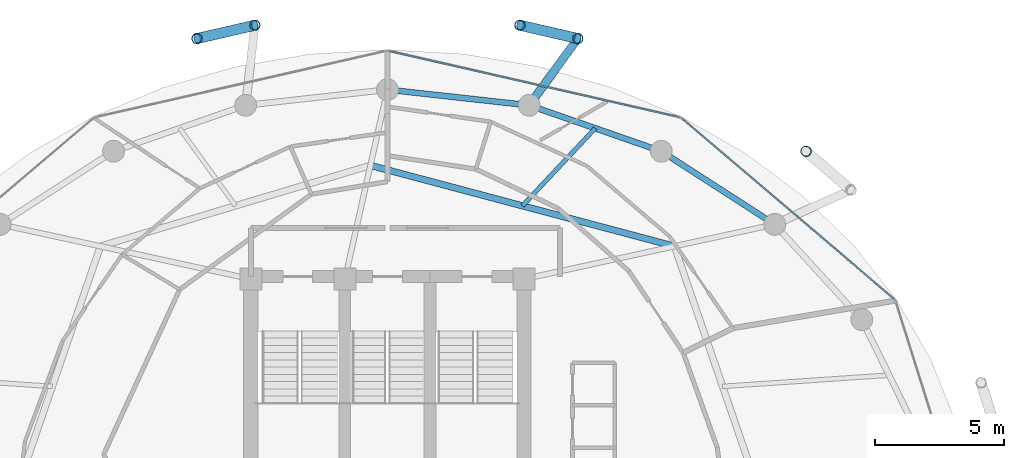
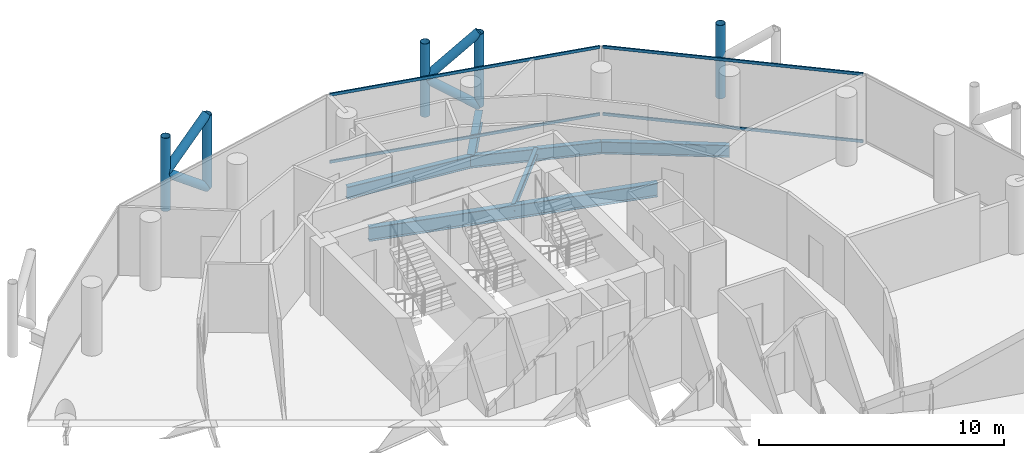
# One storey, part 20 of 27: 13 members, 6 beams, 2 elements without a shape of their own.
"""IFC4 building model written with IfcOpenShell, lengths in metres."""

import ifcopenshell
import ifcopenshell.guid

model = None  # the IFC model being written
_history = None  # IfcOwnerHistory: only IFC2X3 demands one
_inside = {}  # id of a spatial element -> (the spatial element, [elements in it])
_under = {}  # id of a project, library or spatial element -> (it, [spatial elements below it])
_declared = {}  # id of a project -> (the project, [libraries it declares])
_typed = {}  # id of a type object -> (the type object, [elements of that type])
_made_of = {}  # id of a material, layer set ... -> (it, [elements and type objects made of it])


def new_model(schema):
    """Start an empty IFC model of exactly this schema.

    Asked for "IFC4X3", IfcOpenShell would pick the latest addendum, in which some entities
    have other attributes; the version numbers below select the first issue.
    IFC2X3 requires an IfcOwnerHistory on every rooted entity: one is made here for all.
    """
    global model, _history
    if schema == "IFC4X3":
        model = ifcopenshell.file(schema_version=(4, 3, 0, 0))
    else:
        model = ifcopenshell.file(schema=schema)
    _inside.clear()
    _under.clear()
    _declared.clear()
    _typed.clear()
    _made_of.clear()
    _history = None
    if model.schema == "IFC2X3":
        org = make("IfcOrganization", Name="unknown")
        user = make(
            "IfcPersonAndOrganization",
            ThePerson=make("IfcPerson", FamilyName="unknown"),
            TheOrganization=org,
        )
        app = make(
            "IfcApplication",
            ApplicationDeveloper=org,
            Version="unknown",
            ApplicationFullName="unknown",
            ApplicationIdentifier="unknown",
        )
        _history = make(
            "IfcOwnerHistory",
            OwningUser=user,
            OwningApplication=app,
            ChangeAction="ADDED",
            CreationDate=0,
        )
    return model


def make(cls, **values):
    """One entity of the class cls with the attributes given. An attribute that is None is left unset."""
    return model.create_entity(
        cls, **{name: value for name, value in values.items() if value is not None}
    )


def rooted(cls, **values):
    """An entity with a GlobalId (a new one), such as an element, a storey or a relation."""
    return make(cls, GlobalId=ifcopenshell.guid.new(), OwnerHistory=_history, **values)


def si_unit(unit_type, name, prefix=None):
    """IfcSIUnit, for example si_unit("LENGTHUNIT", "METRE", prefix="MILLI")."""
    return make("IfcSIUnit", UnitType=unit_type, Prefix=prefix, Name=name)


def assignment(units):
    """IfcUnitAssignment: the units of a project."""
    return None if units is None else make("IfcUnitAssignment", Units=units)


def point(xyz):
    """IfcCartesianPoint."""
    return None if xyz is None else make("IfcCartesianPoint", Coordinates=xyz)


def direction(xyz):
    """IfcDirection."""
    return None if xyz is None else make("IfcDirection", DirectionRatios=xyz)


def frame(location, z_axis=None, x_axis=None):
    """IfcAxis2Placement3D, a coordinate frame: its origin and axes. An axis left out is left unset."""
    return make(
        "IfcAxis2Placement3D",
        Location=point(location),
        Axis=direction(z_axis),
        RefDirection=direction(x_axis),
    )


def frame_2d(location, x_axis=None):
    """IfcAxis2Placement2D, a coordinate frame in the plane: its origin and x axis."""
    return make(
        "IfcAxis2Placement2D", Location=point(location), RefDirection=direction(x_axis)
    )


def origin():
    """The frame at (0, 0, 0) with its axes left unset."""
    return frame((0.0, 0.0, 0.0))


def origin_2d():
    """The frame at (0, 0) in the plane with its x axis left unset."""
    return frame_2d((0.0, 0.0))


def place(relative_to, where):
    """IfcLocalPlacement: puts the frame where relative to a parent placement (None: the world)."""
    return make(
        "IfcLocalPlacement", PlacementRelTo=relative_to, RelativePlacement=where
    )


def context(
    kind, dimensions, precision=None, world=None, true_north=None, identifier=None
):
    """IfcGeometricRepresentationContext, for example the 3D "Model" context."""
    return make(
        "IfcGeometricRepresentationContext",
        ContextIdentifier=identifier,
        ContextType=kind,
        CoordinateSpaceDimension=dimensions,
        Precision=precision,
        WorldCoordinateSystem=world,
        TrueNorth=true_north,
    )


def subcontext(parent, identifier, kind, view, scale=None):
    """IfcGeometricRepresentationSubContext, for example "Body" below "Model"."""
    return make(
        "IfcGeometricRepresentationSubContext",
        ContextIdentifier=identifier,
        ContextType=kind,
        ParentContext=parent,
        TargetScale=scale,
        TargetView=view,
    )


def project(units=None, contexts=None):
    """IfcProject with its units and contexts."""
    return rooted(
        "IfcProject",
        Name="project",
        RepresentationContexts=contexts,
        UnitsInContext=assignment(units),
    )


def spatial(cls, under=None, at=None, **own):
    """A site, building, storey or space (cls), placed at a placement, below another one or the project."""
    s = rooted(cls, ObjectPlacement=at, **own)
    if under is not None:
        _under.setdefault(under.id(), (under, []))[1].append(s)
    return s


def profile(cls, at=None, kind="AREA", **sizes):
    """A parametric profile (cls). Its sizes go by their IFC names, for example OverallWidth=200.0."""
    return make(cls, ProfileType=kind, Position=at, **sizes)


def hollow_rectangle(**sizes):
    """IfcRectangleHollowProfileDef."""
    return profile("IfcRectangleHollowProfileDef", **sizes)


def hollow_circle(**sizes):
    """IfcCircleHollowProfileDef."""
    return profile("IfcCircleHollowProfileDef", **sizes)


def i_section(**sizes):
    """IfcIShapeProfileDef."""
    return profile("IfcIShapeProfileDef", **sizes)


def extrude(swept, where, along, depth):
    """IfcExtrudedAreaSolid: the profile swept, set in the frame where, extruded along a direction by depth."""
    return make(
        "IfcExtrudedAreaSolid",
        SweptArea=swept,
        Position=where,
        ExtrudedDirection=direction(along),
        Depth=depth,
    )


def shape(context_of_items, identifier, shape_type, items):
    """IfcShapeRepresentation: the items that make up one representation, for example the "Body"."""
    return make(
        "IfcShapeRepresentation",
        ContextOfItems=context_of_items,
        RepresentationIdentifier=identifier,
        RepresentationType=shape_type,
        Items=items,
    )


def material(Name=None, Category=None):
    """IfcMaterial."""
    return make("IfcMaterial", Name=Name, Category=Category)


def layer(
    of_material, thickness, ventilated=None, Name=None, Category=None, Priority=None
):
    """IfcMaterialLayer: one layer of a wall or slab, of a material (None: an air gap)."""
    return make(
        "IfcMaterialLayer",
        Material=of_material,
        LayerThickness=thickness,
        IsVentilated=ventilated,
        Name=Name,
        Category=Category,
        Priority=Priority,
    )


def layer_set(layers, Name=None):
    """IfcMaterialLayerSet."""
    return make("IfcMaterialLayerSet", MaterialLayers=layers, LayerSetName=Name)


def material_profile(
    of_material, cross_section, Name=None, Category=None, Priority=None
):
    """IfcMaterialProfile: a cross section and its material."""
    return make(
        "IfcMaterialProfile",
        Name=Name,
        Material=of_material,
        Profile=cross_section,
        Priority=Priority,
        Category=Category,
    )


def profile_set(profiles, Name=None, composite=None):
    """IfcMaterialProfileSet."""
    return make(
        "IfcMaterialProfileSet",
        Name=Name,
        MaterialProfiles=profiles,
        CompositeProfile=composite,
    )


def made_of(thing, what):
    """Note that an element or type object is made of a material, layer set ...; save() writes the relation."""
    if what is not None:
        _made_of.setdefault(what.id(), (what, []))[1].append(thing)
    return thing


def type_object(cls, material=None, **own):
    """A type object (cls), such as IfcWallType, which elements share."""
    return made_of(rooted(cls, **own), material)


def element(
    cls,
    number,
    at=None,
    inside=None,
    cuts=None,
    type_object=None,
    material=None,
    context=None,
    identifier="Body",
    shape_type=None,
    held_by="IfcProductDefinitionShape",
    body=None,
    shapes=None,
    **own,
):
    """One element of the class cls, such as IfcWall. Its Tag is "e" and its number.

    at: its placement. inside: the storey or other place that contains it. cuts: it is an
    opening in that element (IfcRelVoidsElement). A single representation is given by context,
    identifier, shape_type and body (its items); several are given by shapes. held_by: the class
    of the entity that holds the representations. save() writes the other relations.
    """
    e = rooted(cls, Tag="e%d" % number, ObjectPlacement=at, **own)
    if body is not None:
        shapes = [shape(context, identifier, shape_type, body)]
    if shapes is not None:
        e.Representation = make(held_by, Representations=shapes)
    if inside is not None:
        _inside.setdefault(inside.id(), (inside, []))[1].append(e)
    if cuts is not None:
        rooted(
            "IfcRelVoidsElement", RelatingBuildingElement=cuts, RelatedOpeningElement=e
        )
    if type_object is not None:
        _typed.setdefault(type_object.id(), (type_object, []))[1].append(e)
    return made_of(e, material)


def aggregate(whole, parts):
    """IfcRelAggregates: a whole, such as a stair, and the parts it consists of."""
    return rooted("IfcRelAggregates", RelatingObject=whole, RelatedObjects=parts)


def save(model, path):
    """Write the relations noted so far, then the file.

    IfcRelAggregates (storeys below a building ...), IfcRelContainedInSpatialStructure (elements
    in a storey), IfcRelDefinesByType, IfcRelAssociatesMaterial and IfcRelDeclares: one each for
    every whole, place, type object, material and project.
    """
    for whole, parts in _under.values():
        aggregate(whole, parts)
    for where, things in _inside.values():
        rooted(
            "IfcRelContainedInSpatialStructure",
            RelatedElements=things,
            RelatingStructure=where,
        )
    for kind, things in _typed.values():
        rooted("IfcRelDefinesByType", RelatedObjects=things, RelatingType=kind)
    for what, things in _made_of.values():
        rooted("IfcRelAssociatesMaterial", RelatedObjects=things, RelatingMaterial=what)
    for by, libraries in _declared.values():
        rooted("IfcRelDeclares", RelatingContext=by, RelatedDefinitions=libraries)
    model.write(path)


model = new_model("IFC4")

# Units and contexts
model_context = context("Model", 3, precision=1e-05, world=origin(), true_north=direction((0.0, 1.0)))
body_context = subcontext(model_context, "Body", "Model", "MODEL_VIEW")
ifc_project = project(units=[si_unit("LENGTHUNIT", "METRE"), si_unit("AREAUNIT", "SQUARE_METRE"), si_unit("VOLUMEUNIT", "CUBIC_METRE"), si_unit("PLANEANGLEUNIT", "RADIAN"), si_unit("MASSUNIT", "GRAM", prefix="KILO")], contexts=[model_context])

# Site, building, storey
site_placement = place(None, origin())
site = spatial("IfcSite", under=ifc_project, at=site_placement, CompositionType="ELEMENT")
building_placement = place(site_placement, origin())
building = spatial("IfcBuilding", under=site, at=building_placement, Name="Nuhasar Tower", CompositionType="ELEMENT")
storey_placement = place(building_placement, frame((0.0, 0.0, 230.050048828125)))
storey = spatial("IfcBuildingStorey", under=building, at=storey_placement, Name="L56", CompositionType="ELEMENT", Elevation=230.050048828125)

# Beams
ifc_material_1 = material(Name="Steel S355", Category="steel")
ifc_material_profile_1 = material_profile(ifc_material_1, i_section(OverallWidth=0.25390625, OverallDepth=0.68408203125, WebThickness=0.012451171875, FlangeThickness=0.018798828125, at=origin_2d()), Name="W27X94")
ifc_profile_set_1 = profile_set([ifc_material_profile_1], Name="Steel S355")
beam_type_1 = type_object("IfcBeamType", Name="BM-INRING-W27X94", PredefinedType="BEAM", material=ifc_profile_set_1)
beam_1_placement = place(storey_placement, frame((50.135986328125, 38.572998046875, -0.58203125), z_axis=(-0.966410333243, 0.257004022929, 0.0), x_axis=(-0.257004022929, -0.966410333243, 0.0)))
element("IfcBeam", 1, at=beam_1_placement, inside=storey, type_object=beam_type_1, Name="L56 Inner Header Beam 05", PredefinedType="BEAM", context=body_context, shape_type="SweptSolid", body=[
    extrude(i_section(OverallWidth=0.25390625, OverallDepth=0.68408203125, WebThickness=0.012451171875, FlangeThickness=0.018798828125, at=origin_2d()), origin(), (0.0, 0.0, 1.0), 12.205810546875),
])
ifc_material_profile_2 = material_profile(ifc_material_1, i_section(OverallWidth=0.1708984375, OverallDepth=0.35205078125, WebThickness=0.0068359375, FlangeThickness=0.009765625, at=origin_2d()), Name="W14X30")
ifc_profile_set_2 = profile_set([ifc_material_profile_2], Name="Steel S355")
beam_type_2 = type_object("IfcBeamType", Name="BM-JST-W14X30", PredefinedType="JOIST", material=ifc_profile_set_2)
beam_2_placement = place(storey_placement, frame((44.238037109375, 40.14208984375, -0.416015625), z_axis=(0.684358245116, 0.729145933501, 0.0), x_axis=(-0.729145933501, 0.684358245116, 0.0)))
element("IfcBeam", 2, at=beam_2_placement, inside=storey, type_object=beam_type_2, Name="L56 Secondary Floor Joist 05", PredefinedType="JOIST", context=body_context, shape_type="SweptSolid", body=[
    extrude(i_section(OverallWidth=0.1708984375, OverallDepth=0.35205078125, WebThickness=0.0068359375, FlangeThickness=0.009765625, at=origin_2d()), origin(), (0.0, 0.0, 1.0), 4.12646484375),
])
ifc_material_profile_3 = material_profile(ifc_material_1, i_section(OverallWidth=0.22802734375, OverallDepth=0.60791015625, WebThickness=0.01123046875, FlangeThickness=0.017333984375, at=origin_2d()), Name="W24X76")
ifc_profile_set_3 = profile_set([ifc_material_profile_3], Name="Steel S355")
beam_type_3 = type_object("IfcBeamType", Name="BM-RING-W24X76", PredefinedType="SPANDREL", material=ifc_profile_set_3)
beam_3_placement = place(storey_placement, frame((54.02587890625, 39.422119140625, -0.5439453125), z_axis=(-0.840502144969, 0.541808217272, 0.0), x_axis=(-0.541808217272, -0.840502144969, 0.0)))
element("IfcBeam", 3, at=beam_3_placement, inside=storey, type_object=beam_type_3, Name="L56 Perimeter Ring Spandrel 04", PredefinedType="SPANDREL", context=body_context, shape_type="SweptSolid", body=[
    extrude(i_section(OverallWidth=0.22802734375, OverallDepth=0.60791015625, WebThickness=0.01123046875, FlangeThickness=0.017333984375, at=origin_2d()), origin(), (0.0, 0.0, 1.0), 5.236083984375),
])
beam_4_placement = place(storey_placement, frame((49.625, 42.259033203125, -0.5439453125), z_axis=(-0.944476764686, 0.328578211342, 0.0), x_axis=(-0.328578211342, -0.944476764686, 0.0)))
element("IfcBeam", 4, at=beam_4_placement, inside=storey, type_object=beam_type_3, Name="L56 Perimeter Ring Spandrel 05", PredefinedType="SPANDREL", context=body_context, shape_type="SweptSolid", body=[
    extrude(i_section(OverallWidth=0.22802734375, OverallDepth=0.60791015625, WebThickness=0.01123046875, FlangeThickness=0.017333984375, at=origin_2d()), origin(), (0.0, 0.0, 1.0), 5.42626953125),
])
beam_5_placement = place(storey_placement, frame((44.5, 44.0419921875, -0.5439453125), z_axis=(-0.993947060915, 0.109860093292, 0.0), x_axis=(-0.109860093292, -0.993947060915, 0.0)))
element("IfcBeam", 5, at=beam_5_placement, inside=storey, type_object=beam_type_3, Name="L56 Perimeter Ring Spandrel 06", PredefinedType="SPANDREL", context=body_context, shape_type="SweptSolid", body=[
    extrude(i_section(OverallWidth=0.22802734375, OverallDepth=0.60791015625, WebThickness=0.01123046875, FlangeThickness=0.017333984375, at=origin_2d()), origin(), (0.0, 0.0, 1.0), 5.533447265625),
])
ifc_material_profile_4 = material_profile(ifc_material_1, i_section(OverallWidth=0.323974609375, OverallDepth=0.611083984375, WebThickness=0.0126953125, FlangeThickness=0.01904296875, at=origin_2d()), Name="W24X104")
ifc_profile_set_4 = profile_set([ifc_material_profile_4], Name="Steel S355")
beam_type_4 = type_object("IfcBeamType", Name="BM-TIE-W24X104", PredefinedType="BEAM", material=ifc_profile_set_4)
beam_6_placement = place(storey_placement, frame((44.5, 44.0419921875, -0.545166015625), z_axis=(0.588094663461, 0.808792103577, 0.0), x_axis=(-0.808792103577, 0.588094663461, 0.0)))
element("IfcBeam", 6, at=beam_6_placement, inside=storey, type_object=beam_type_4, Name="L56 Exoskeleton Node Tie Beam 03", PredefinedType="BEAM", context=body_context, shape_type="SweptSolid", body=[
    extrude(i_section(OverallWidth=0.323974609375, OverallDepth=0.611083984375, WebThickness=0.0126953125, FlangeThickness=0.01904296875, at=origin_2d()), origin(), (0.0, 0.0, 1.0), 3.20361328125),
])

# Curtain wall, members
ifc_material_2 = material(Name="Aluminium 6063-T6", Category="aluminium")
ifc_layer = layer(ifc_material_2, 0.18994140625)
ifc_layer_set = layer_set([ifc_layer], Name="Aluminium 6063-T6")
curtain_wall_type = type_object("IfcCurtainWallType", Name="CW-Z3-RES", PredefinedType="NOTDEFINED", material=ifc_layer_set)
curtain_wall_1_placement = place(storey_placement, origin())
curtain_wall_1 = element("IfcCurtainWall", 7, at=curtain_wall_1_placement, inside=storey, type_object=curtain_wall_type, Name="L56 Unitised Curtain Wall 02", PredefinedType="NOTDEFINED")
ifc_material_profile_5 = material_profile(ifc_material_2, hollow_rectangle(XDim=0.06494140625, YDim=0.139892578125, WallThickness=0.00439453125, at=origin_2d()), Name="CWT-4")
ifc_profile_set_5 = profile_set([ifc_material_profile_5], Name="Aluminium 6063-T6")
member_type_1 = type_object("IfcMemberType", Name="CW-TRN-S4", PredefinedType="USERDEFINED", material=ifc_profile_set_5)
member_1_placement = place(storey_placement, frame((58.661376953125, 36.522216796875, 0.032470703125), z_axis=(-0.761730809511, 0.647893643928, 0.0), x_axis=(-0.647893643928, -0.761730809511, 0.0)))
member_1 = element("IfcMember", 8, at=member_1_placement, type_object=member_type_1, Name="CW-Z3 transom 1.1", ObjectType="TRANSOM", PredefinedType="USERDEFINED", context=body_context, shape_type="SweptSolid", body=[
    extrude(hollow_rectangle(XDim=0.06494140625, YDim=0.139892578125, WallThickness=0.00439453125, at=origin_2d()), origin(), (0.0, 0.0, 1.0), 10.806884765625),
])
member_2_placement = place(storey_placement, frame((58.661376953125, 36.522216796875, 3.37744140625), z_axis=(-0.761730809511, 0.647893643928, 0.0), x_axis=(-0.647893643928, -0.761730809511, 0.0)))
member_2 = element("IfcMember", 9, at=member_2_placement, type_object=member_type_1, Name="CW-Z3 transom 1.2", ObjectType="TRANSOM", PredefinedType="USERDEFINED", context=body_context, shape_type="SweptSolid", body=[
    extrude(hollow_rectangle(XDim=0.06494140625, YDim=0.139892578125, WallThickness=0.00439453125, at=origin_2d()), origin(), (0.0, 0.0, 1.0), 10.806884765625),
])
aggregate(curtain_wall_1, [member_1, member_2])

curtain_wall_2_placement = place(storey_placement, origin())
curtain_wall_2 = element("IfcCurtainWall", 10, at=curtain_wall_2_placement, inside=storey, type_object=curtain_wall_type, Name="L56 Unitised Curtain Wall 03", PredefinedType="NOTDEFINED")
member_3_placement = place(storey_placement, frame((50.316650390625, 43.58056640625, 0.032470703125), z_axis=(-0.974994070913, 0.222230874732, 0.0), x_axis=(-0.222230874732, -0.974994070913, 0.0)))
member_3 = element("IfcMember", 11, at=member_3_placement, type_object=member_type_1, Name="CW-Z3 transom 1.1", ObjectType="TRANSOM", PredefinedType="USERDEFINED", context=body_context, shape_type="SweptSolid", body=[
    extrude(hollow_rectangle(XDim=0.06494140625, YDim=0.139892578125, WallThickness=0.00439453125, at=origin_2d()), origin(), (0.0, 0.0, 1.0), 11.541748046875),
])
member_4_placement = place(storey_placement, frame((50.316650390625, 43.58056640625, 3.37744140625), z_axis=(-0.974994070913, 0.222230874732, 0.0), x_axis=(-0.222230874732, -0.974994070913, 0.0)))
member_4 = element("IfcMember", 12, at=member_4_placement, type_object=member_type_1, Name="CW-Z3 transom 1.2", ObjectType="TRANSOM", PredefinedType="USERDEFINED", context=body_context, shape_type="SweptSolid", body=[
    extrude(hollow_rectangle(XDim=0.06494140625, YDim=0.139892578125, WallThickness=0.00439453125, at=origin_2d()), origin(), (0.0, 0.0, 1.0), 11.541748046875),
])
aggregate(curtain_wall_2, [member_3, member_4])

# Members
ifc_material_3 = material(Name="Steel S460", Category="steel")
ifc_material_profile_6 = material_profile(ifc_material_3, hollow_circle(Radius=0.203125, WallThickness=0.01904296875, at=origin_2d()), Name="HSS406.4X19.1")
ifc_profile_set_6 = profile_set([ifc_material_profile_6], Name="Steel S460")
member_type_2 = type_object("IfcMemberType", Name="EXO-BRONZE-406", PredefinedType="BRACE", material=ifc_profile_set_6)
for number, where, z_axis, x_axis, name in (
    (13, (55.239990234375, 42.257080078125, 0.0), (0.0, 0.0, 1.0), (1.0, 0.0, 0.0), "L56 Exoskeleton Chord Column EC-02B"),
    (14, (46.384033203125, 46.633056640625, 0.0), (0.0, 0.0, 1.0), (1.0, 0.0, 0.0), "L56 Exoskeleton Chord Column EC-03A"),
    (15, (44.14306640625, 47.14892578125, 0.0), (0.0, 0.0, 1.0), (1.0, 0.0, 0.0), "L56 Exoskeleton Chord Column EC-03B"),
    (16, (33.85693359375, 47.14892578125, 0.0), (0.0, 0.0, 1.0), (1.0, 0.0, 0.0), "L56 Exoskeleton Chord Column EC-04A"),
    (17, (31.615966796875, 46.633056640625, 0.0), (0.0, 0.0, 1.0), (1.0, 0.0, 0.0), "L56 Exoskeleton Chord Column EC-04B"),
):
    element("IfcMember", number, at=place(storey_placement, frame(where, z_axis=z_axis, x_axis=x_axis)), inside=storey, type_object=member_type_2, Name=name, PredefinedType="BRACE", context=body_context, shape_type="SweptSolid", body=[
        extrude(hollow_circle(Radius=0.203125, WallThickness=0.01904296875, at=origin_2d()), origin(), (0.0, 0.0, 1.0), 3.64990234375),
    ])
for number, where, z_axis, x_axis, name in (
    (18, (46.384033203125, 46.633056640625, 0.0), (-0.763342741922, 0.175721016852, 0.621634927101), (-0.224332214284, -0.974512728308, 0.0), "L56 Bronze Diagrid Brace W1-03"),
    (19, (44.14306640625, 47.14892578125, 1.824951171875), (0.763342741922, -0.175721016852, 0.621634927101), (0.224332214284, 0.974512728308, 0.0), "L56 Bronze Diagrid Brace W2-03"),
    (20, (33.85693359375, 47.14892578125, 0.0), (-0.763342741922, -0.175721016852, 0.621634927101), (0.224332214284, -0.974512728308, 0.0), "L56 Bronze Diagrid Brace W1-04"),
    (21, (31.615966796875, 46.633056640625, 1.824951171875), (0.763342741922, 0.175721016852, 0.621634927101), (-0.224332214284, 0.974512728308, 0.0), "L56 Bronze Diagrid Brace W2-04"),
):
    element("IfcMember", number, at=place(storey_placement, frame(where, z_axis=z_axis, x_axis=x_axis)), inside=storey, type_object=member_type_2, Name=name, PredefinedType="BRACE", context=body_context, shape_type="SweptSolid", body=[
        extrude(hollow_circle(Radius=0.203125, WallThickness=0.01904296875, at=origin_2d()), origin(), (0.0, 0.0, 1.0), 2.935791015625),
    ])

save(model, "model.ifc")
